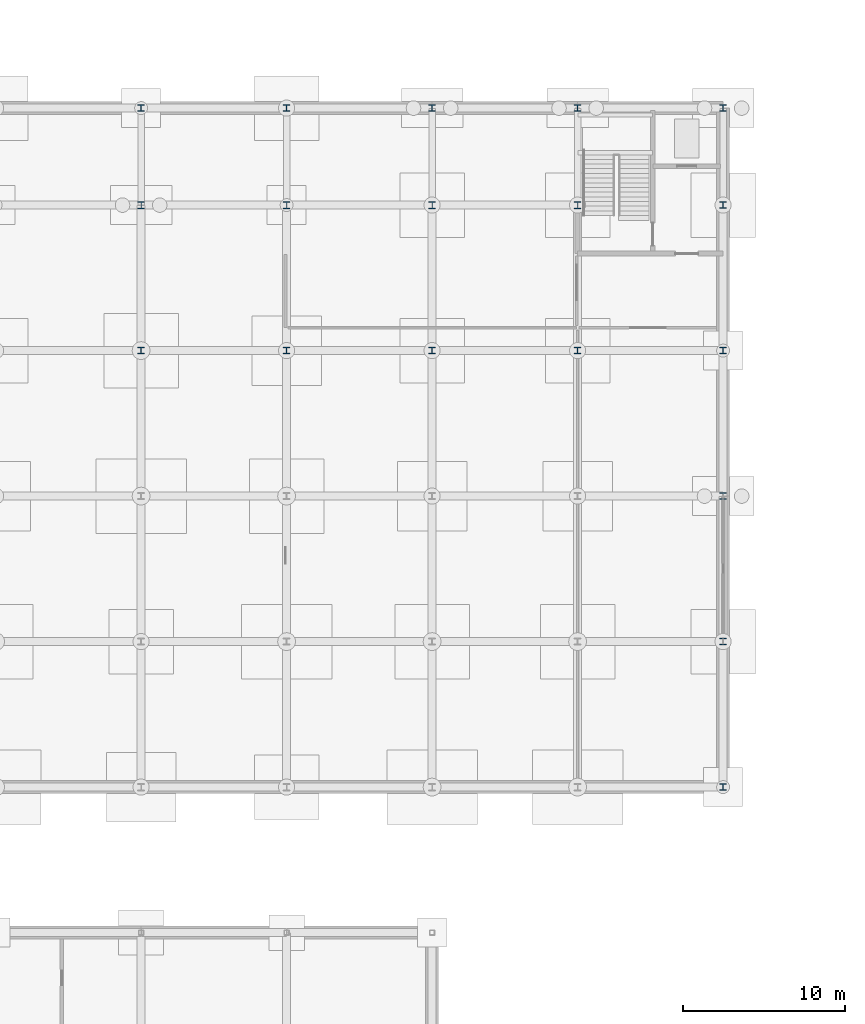
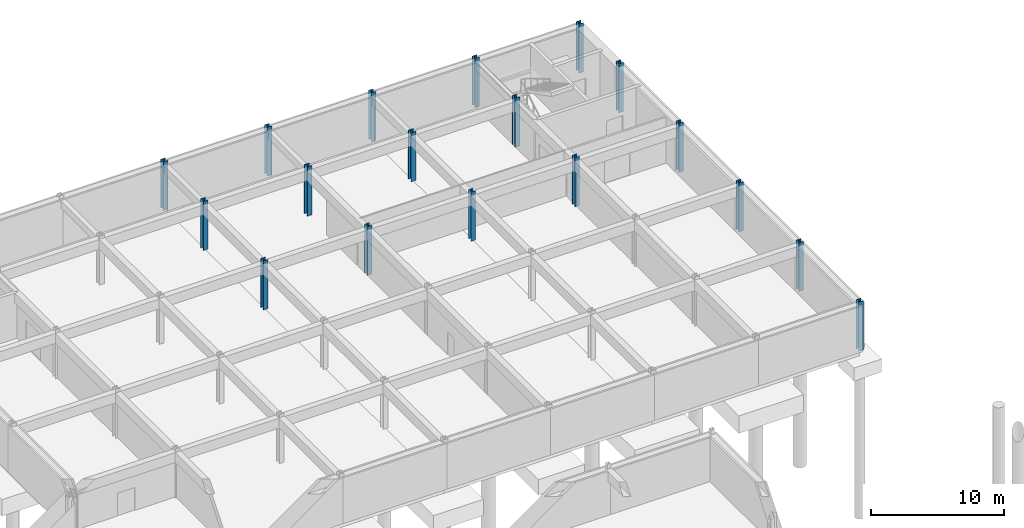
# One storey, part 19 of 41: 18 columns.
"""IFC4 building model written with IfcOpenShell, lengths in metres."""

from ifc_helpers import new_model, si_unit, direction, frame, origin, origin_2d, place, context, subcontext, project, spatial, i_section, extrude, material, material_profile, profile_set, type_object, element, save


model = new_model("IFC4")

# Units and contexts
model_context = context("Model", 3, precision=1e-05, world=origin(), true_north=direction((0.0, 1.0)))
body_context = subcontext(model_context, "Body", "Model", "MODEL_VIEW")
ifc_project = project(units=[si_unit("LENGTHUNIT", "METRE"), si_unit("AREAUNIT", "SQUARE_METRE"), si_unit("VOLUMEUNIT", "CUBIC_METRE"), si_unit("PLANEANGLEUNIT", "RADIAN"), si_unit("MASSUNIT", "GRAM", prefix="KILO")], contexts=[model_context])

# Site, building, storey
site_placement = place(None, origin())
site = spatial("IfcSite", under=ifc_project, at=site_placement, CompositionType="ELEMENT")
building_placement = place(site_placement, origin())
building = spatial("IfcBuilding", under=site, at=building_placement, Name="Palais des Congres Ocreval", CompositionType="ELEMENT")
storey_placement = place(building_placement, frame((0.0, 0.0, -8.9599609375)))
storey = spatial("IfcBuildingStorey", under=building, at=storey_placement, Name="B2", CompositionType="ELEMENT", Elevation=-8.9599609375)

# Columns
ifc_material_1 = material(Name="Steel S355", Category="steel")
ifc_material_profile_1 = material_profile(ifc_material_1, i_section(OverallWidth=0.406005859375, OverallDepth=0.416015625, WebThickness=0.0224609375, FlangeThickness=0.0380859375, at=origin_2d()), Name="HD 400x382")
ifc_profile_set_1 = profile_set([ifc_material_profile_1], Name="Steel S355")
column_type_1 = type_object("IfcColumnType", Name="Column HD 400x382 Steel S355", PredefinedType="COLUMN", material=ifc_profile_set_1)
for number, where, z_axis, x_axis, name in (
    (1, (126.0, 99.0, 0.0), (0.0, 0.0, 1.0), (1.0, 0.0, 0.0), "Column C03 B2"),
    (2, (126.0, 114.0, 0.0), (0.0, 0.0, 1.0), (1.0, 0.0, 0.0), "Column C03 B2"),
    (3, (135.0, 99.0, 0.0), (0.0, 0.0, 1.0), (1.0, 0.0, 0.0), "Column C03 B2"),
    (4, (135.0, 114.0, 0.0), (0.0, 0.0, 1.0), (1.0, 0.0, 0.0), "Column C03 B2"),
    (5, (144.0, 99.0, 0.0), (0.0, 0.0, 1.0), (1.0, 0.0, 0.0), "Column C03 B2"),
    (6, (144.0, 114.0, 0.0), (0.0, 0.0, 1.0), (1.0, 0.0, 0.0), "Column C03 B2"),
    (7, (153.0, 99.0, 0.0), (0.0, 0.0, 1.0), (1.0, 0.0, 0.0), "Column C03 B2"),
    (8, (153.0, 114.0, 0.0), (0.0, 0.0, 1.0), (1.0, 0.0, 0.0), "Column C03 B2"),
    (9, (162.0, 72.0, 0.0), (0.0, 0.0, 1.0), (1.0, 0.0, 0.0), "Column C03 B2"),
    (10, (162.0, 81.0, 0.0), (0.0, 0.0, 1.0), (1.0, 0.0, 0.0), "Column C03 B2"),
    (11, (162.0, 90.0, 0.0), (0.0, 0.0, 1.0), (1.0, 0.0, 0.0), "Column C03 B2"),
    (12, (162.0, 99.0, 0.0), (0.0, 0.0, 1.0), (1.0, 0.0, 0.0), "Column C03 B2"),
    (13, (162.0, 108.0, 0.0), (0.0, 0.0, 1.0), (1.0, 0.0, 0.0), "Column C03 B2"),
    (14, (162.0, 114.0, 0.0), (0.0, 0.0, 1.0), (1.0, 0.0, 0.0), "Column C03 B2"),
):
    element("IfcColumn", number, at=place(storey_placement, frame(where, z_axis=z_axis, x_axis=x_axis)), inside=storey, type_object=column_type_1, Name=name, PredefinedType="COLUMN", context=body_context, shape_type="SweptSolid", body=[
        extrude(i_section(OverallWidth=0.406005859375, OverallDepth=0.416015625, WebThickness=0.0224609375, FlangeThickness=0.0380859375, at=origin_2d()), origin(), (0.0, 0.0, 1.0), 4.47998046875),
    ])
ifc_material_2 = material(Name="Steel S460", Category="steel")
ifc_material_profile_2 = material_profile(ifc_material_2, i_section(OverallWidth=0.41796875, OverallDepth=0.455078125, WebThickness=0.031982421875, FlangeThickness=0.055908203125, at=origin_2d()), Name="HD 400x551")
ifc_profile_set_2 = profile_set([ifc_material_profile_2], Name="Steel S460")
column_type_2 = type_object("IfcColumnType", Name="Column HD 400x551 Steel S460", PredefinedType="COLUMN", material=ifc_profile_set_2)
for number, where, z_axis, x_axis, name in (
    (15, (126.0, 108.0, 0.0), (0.0, 0.0, 1.0), (1.0, 0.0, 0.0), "Column C01 B2"),
    (16, (135.0, 108.0, 0.0), (0.0, 0.0, 1.0), (1.0, 0.0, 0.0), "Column C01 B2"),
    (17, (144.0, 108.0, 0.0), (0.0, 0.0, 1.0), (1.0, 0.0, 0.0), "Column C01 B2"),
    (18, (153.0, 108.0, 0.0), (0.0, 0.0, 1.0), (1.0, 0.0, 0.0), "Column C01 B2"),
):
    element("IfcColumn", number, at=place(storey_placement, frame(where, z_axis=z_axis, x_axis=x_axis)), inside=storey, type_object=column_type_2, Name=name, PredefinedType="COLUMN", context=body_context, shape_type="SweptSolid", body=[
        extrude(i_section(OverallWidth=0.41796875, OverallDepth=0.455078125, WebThickness=0.031982421875, FlangeThickness=0.055908203125, at=origin_2d()), origin(), (0.0, 0.0, 1.0), 4.47998046875),
    ])

save(model, "model.ifc")
